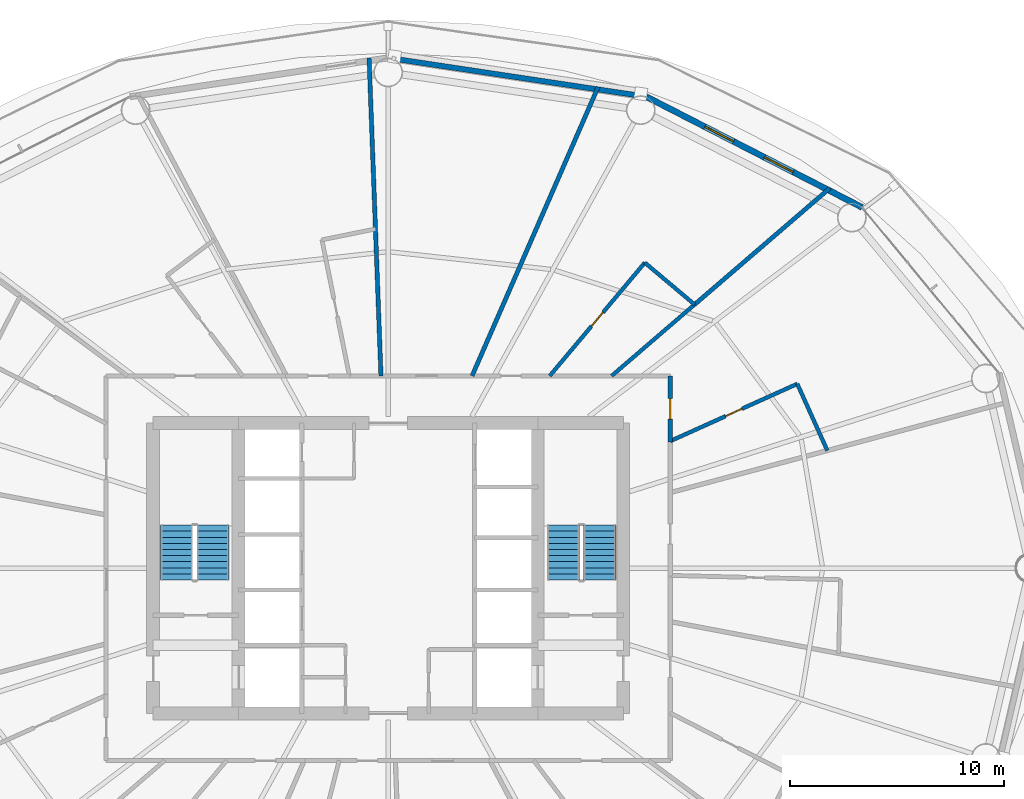
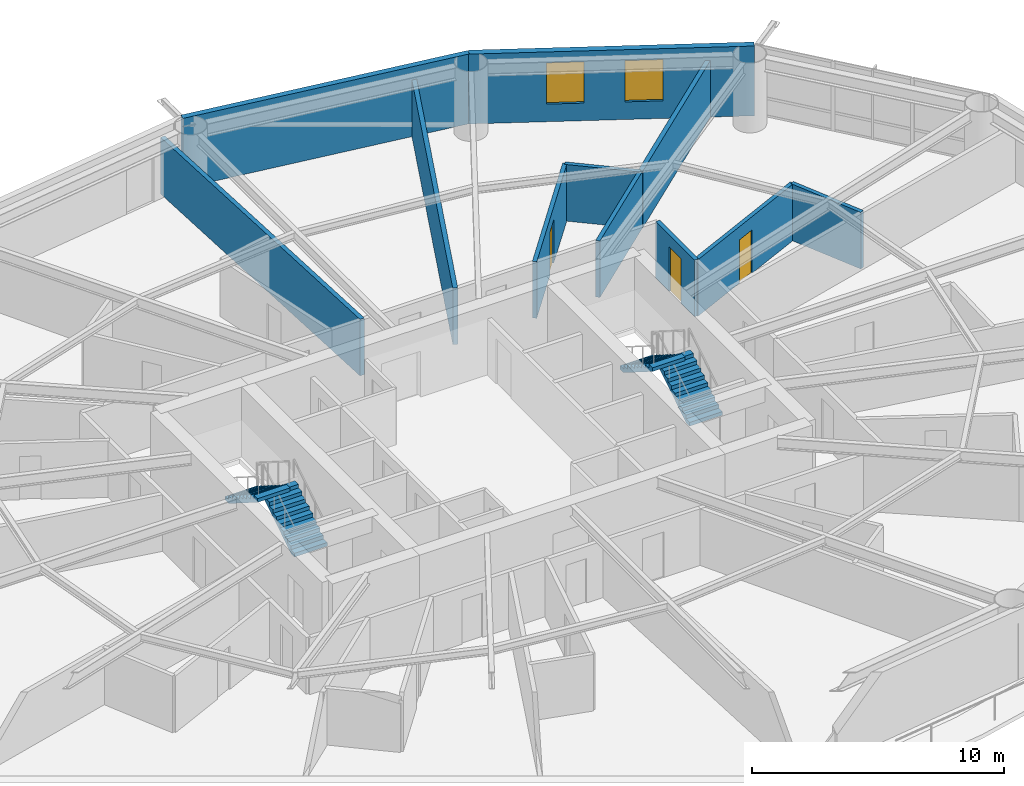
# One storey, part 23 of 26: 11 walls, 4 stair flights, 3 doors, 2 windows, 5 openings, 2 elements without a shape of their own.
"""IFC4 building model written with IfcOpenShell, lengths in metres."""

from ifc_helpers import new_model, si_unit, direction, frame, frame_2d, origin, place, context, subcontext, project, spatial, polyline, rectangle, outline, extrude, material, layer, layer_set, type_object, element, fill, aggregate, save


model = new_model("IFC4")

# Units and contexts
model_context = context("Model", 3, precision=1e-05, world=origin(), true_north=direction((0.0, 1.0)))
body_context = subcontext(model_context, "Body", "Model", "MODEL_VIEW")
ifc_project = project(units=[si_unit("LENGTHUNIT", "METRE"), si_unit("AREAUNIT", "SQUARE_METRE"), si_unit("VOLUMEUNIT", "CUBIC_METRE"), si_unit("PLANEANGLEUNIT", "RADIAN"), si_unit("MASSUNIT", "GRAM", prefix="KILO")], contexts=[model_context])

# Site, building, storey
site_placement = place(None, origin())
site = spatial("IfcSite", under=ifc_project, at=site_placement, CompositionType="ELEMENT")
building_placement = place(site_placement, origin())
building = spatial("IfcBuilding", under=site, at=building_placement, Name="Sarneth Arch Tower", CompositionType="ELEMENT")
storey_placement = place(building_placement, frame((0.0, 0.0, 39.0)))
storey = spatial("IfcBuildingStorey", under=building, at=storey_placement, Name="L08", CompositionType="ELEMENT", Elevation=39.0)

# Wall, opening, door
ifc_material_1 = material(Name="Double steel-stud corridor fire wall", Category="steel")
ifc_layer_1 = layer(ifc_material_1, 0.18994140625)
ifc_layer_set_1 = layer_set([ifc_layer_1], Name="Double steel-stud corridor fire wall")
wall_type_1 = type_object("IfcWallType", Name="WALL-CORR-190", PredefinedType="PARTITIONING", material=ifc_layer_set_1)
wall_1_placement = place(storey_placement, frame((61.199951171875, 51.0, 0.0), z_axis=(0.0, 0.0, 1.0), x_axis=(0.0, -1.0, 0.0)))
wall_1 = element("IfcWall", 1, at=wall_1_placement, inside=storey, type_object=wall_type_1, Name="L08 Interior partition W-L08-TP-002", PredefinedType="PARTITIONING", context=body_context, shape_type="SweptSolid", body=[
    extrude(rectangle(XDim=3.0869140625, YDim=0.18994140625, at=frame_2d((1.54345703125, 0.0))), origin(), (0.0, 0.0, 1.0), 2.739990234375),
])
opening_1_placement = place(wall_1_placement, frame((1.068603515625, 0.0, 0.0)))
opening_1 = element("IfcOpeningElement", 2, at=opening_1_placement, cuts=wall_1, Name="Opening FD-09", PredefinedType="OPENING", context=body_context, shape_type="SweptSolid", body=[
    extrude(rectangle(XDim=0.949951171875, YDim=2.14990234375, at=frame_2d((0.47509765625, 1.074951171875))), frame((0.0, 0.10498046875, 0.0), z_axis=(0.0, -1.0, 0.0), x_axis=(1.0, 0.0, 0.0)), (0.0, 0.0, 1.0), 0.2099609375),
])
ifc_material_2 = material(Name="Hardwood timber hotel entrance fire door", Category="wood")
door_type_1 = type_object("IfcDoorType", Name="DR-FD60-950", OperationType="SINGLE_SWING_RIGHT", PredefinedType="DOOR", material=ifc_material_2)
door_1_placement = place(opening_1_placement, origin())
door_1 = element("IfcDoor", 3, at=door_1_placement, inside=storey, type_object=door_type_1, Name="L08 Interior door DR-L08-KEY-01", OperationType="SINGLE_SWING_LEFT", OverallHeight=2.14990234375, OverallWidth=0.949951171875, PredefinedType="DOOR", context=body_context, shape_type="SweptSolid", body=[
    extrude(rectangle(XDim=0.949951171875, YDim=2.14990234375, at=frame_2d((0.47509765625, 1.074951171875))), frame((0.0, 0.02490234375, 0.0), z_axis=(0.0, -1.0, 0.0), x_axis=(1.0, 0.0, 0.0)), (0.0, 0.0, 1.0), 0.050048828125),
])
fill(opening_1, door_1)

# Wall
ifc_material_3 = material(Name="Extruded terracotta rainscreen on Concrete C40/50 backing", Category="masonry")
ifc_layer_2 = layer(ifc_material_3, 0.25)
ifc_layer_set_2 = layer_set([ifc_layer_2], Name="Extruded terracotta rainscreen on Concrete C40/50 backing")
wall_type_2 = type_object("IfcWallType", Name="WALL-EXT-SPAND-250", PredefinedType="SOLIDWALL", material=ifc_layer_set_2)
wall_2_placement = place(storey_placement, frame((60.077880859375, 64.062255859375, 0.0), z_axis=(0.0, 0.0, 1.0), x_axis=(-0.988864835849, 0.148816452121, 0.0)))
element("IfcWall", 4, at=wall_2_placement, inside=storey, type_object=wall_type_2, Name="L08 Terracotta perimeter wall 04", PredefinedType="SOLIDWALL", context=body_context, shape_type="SweptSolid", body=[
    extrude(rectangle(XDim=12.2138671875, YDim=0.25, at=frame_2d((6.10693359375, 0.0))), origin(), (0.0, 0.0, 1.0), 3.3798828125),
])

# Wall, openings, windows
ifc_material_4 = material(Name="Extruded terracotta rainscreen on Concrete C40/50 backing", Category="masonry")
ifc_layer_3 = layer(ifc_material_4, 0.280029296875)
ifc_layer_set_3 = layer_set([ifc_layer_3], Name="Extruded terracotta rainscreen on Concrete C40/50 backing")
wall_type_3 = type_object("IfcWallType", Name="WALL-EXT-TERRA-280", PredefinedType="SOLIDWALL", material=ifc_layer_set_3)
wall_3_placement = place(storey_placement, frame((70.174072265625, 58.8857421875, 0.0), z_axis=(0.0, 0.0, 1.0), x_axis=(-0.889853976658, 0.456245438581, 0.0)))
wall_3 = element("IfcWall", 5, at=wall_3_placement, inside=storey, type_object=wall_type_3, Name="L08 Terracotta perimeter wall 03", PredefinedType="SOLIDWALL", context=body_context, shape_type="SweptSolid", body=[
    extrude(rectangle(XDim=11.345947265625, YDim=0.280029296875, at=frame_2d((5.6728515625, 0.0))), origin(), (0.0, 0.0, 1.0), 3.3798828125),
])
opening_2_placement = place(wall_3_placement, frame((3.6318359375, 0.0, 0.85009765625)))
opening_2 = element("IfcOpeningElement", 6, at=opening_2_placement, cuts=wall_3, Name="Opening W-06", PredefinedType="OPENING", context=body_context, shape_type="SweptSolid", body=[
    extrude(rectangle(XDim=1.5, YDim=2.0, at=frame_2d((0.75, 1.0))), frame((0.0, 0.14990234375, 0.0), z_axis=(0.0, -1.0, 0.0), x_axis=(1.0, 0.0, 0.0)), (0.0, 0.0, 1.0), 0.300048828125),
])
opening_3_placement = place(wall_3_placement, frame((6.76123046875, 0.0, 0.85009765625)))
opening_3 = element("IfcOpeningElement", 7, at=opening_3_placement, cuts=wall_3, Name="Opening W-06", PredefinedType="OPENING", context=body_context, shape_type="SweptSolid", body=[
    extrude(rectangle(XDim=1.5, YDim=2.0, at=frame_2d((0.75, 1.0))), frame((0.0, 0.14990234375, 0.0), z_axis=(0.0, -1.0, 0.0), x_axis=(1.0, 0.0, 0.0)), (0.0, 0.0, 1.0), 0.300048828125),
])
ifc_material_5 = material(Name="Thermally broken Aluminium 6063-T6 and low-e laminated IGU", Category="aluminium")
window_type = type_object("IfcWindowType", Name="WIN-TWR-1500x2000", PartitioningType="SINGLE_PANEL", PredefinedType="WINDOW", material=ifc_material_5)
window_1_placement = place(opening_2_placement, origin())
window_1 = element("IfcWindow", 8, at=window_1_placement, inside=storey, type_object=window_type, Name="L08 Exterior window 03A", OverallHeight=2.0, OverallWidth=1.5, PartitioningType="SINGLE_PANEL", PredefinedType="WINDOW", context=body_context, shape_type="SweptSolid", body=[
    extrude(rectangle(XDim=1.5, YDim=2.0, at=frame_2d((0.75, 1.0))), frame((0.0, 0.030029296875, 0.0), z_axis=(0.0, -1.0, 0.0), x_axis=(1.0, 0.0, 0.0)), (0.0, 0.0, 1.0), 0.06005859375),
])
fill(opening_2, window_1)
window_2_placement = place(opening_3_placement, origin())
window_2 = element("IfcWindow", 9, at=window_2_placement, inside=storey, type_object=window_type, Name="L08 Exterior window 03B", OverallHeight=2.0, OverallWidth=1.5, PartitioningType="SINGLE_PANEL", PredefinedType="WINDOW", context=body_context, shape_type="SweptSolid", body=[
    extrude(rectangle(XDim=1.5, YDim=2.0, at=frame_2d((0.75, 1.0))), frame((0.0, 0.030029296875, 0.0), z_axis=(0.0, -1.0, 0.0), x_axis=(1.0, 0.0, 0.0)), (0.0, 0.0, 1.0), 0.06005859375),
])
fill(opening_3, window_2)

# Wall, opening, door
ifc_material_6 = material(Name="Moisture-resistant plumbing chase wall", Category="gypsum")
ifc_layer_4 = layer(ifc_material_6, 0.179931640625)
ifc_layer_set_4 = layer_set([ifc_layer_4], Name="Moisture-resistant plumbing chase wall")
wall_type_4 = type_object("IfcWallType", Name="WALL-PLUMB-180", PredefinedType="PLUMBINGWALL", material=ifc_layer_set_4)
wall_4_placement = place(storey_placement, frame((55.5595703125, 51.0, 0.0), z_axis=(0.0, 0.0, 1.0), x_axis=(0.643154836645, 0.765736153058, 0.0)))
wall_4 = element("IfcWall", 10, at=wall_4_placement, inside=storey, type_object=wall_type_4, Name="L08 Interior partition W-L08-TP-036", PredefinedType="PLUMBINGWALL", context=body_context, shape_type="SweptSolid", body=[
    extrude(rectangle(XDim=6.9169921875, YDim=0.179931640625, at=frame_2d((3.45849609375, 0.0))), origin(), (0.0, 0.0, 1.0), 2.739990234375),
])
opening_4_placement = place(wall_4_placement, frame((3.03369140625, 0.0, 0.0)))
opening_4 = element("IfcOpeningElement", 11, at=opening_4_placement, cuts=wall_4, Name="Opening ID-02", PredefinedType="OPENING", context=body_context, shape_type="SweptSolid", body=[
    extrude(rectangle(XDim=0.85009765625, YDim=2.10009765625, at=frame_2d((0.425048828125, 1.050048828125))), frame((0.0, 0.099853515625, 0.0), z_axis=(0.0, -1.0, 0.0), x_axis=(1.0, 0.0, 0.0)), (0.0, 0.0, 1.0), 0.199951171875),
])
ifc_material_7 = material(Name="Moisture-resistant bathroom timber door", Category="wood")
door_type_2 = type_object("IfcDoorType", Name="DR-INT-850", OperationType="SINGLE_SWING_RIGHT", PredefinedType="DOOR", material=ifc_material_7)
door_2_placement = place(opening_4_placement, origin())
door_2 = element("IfcDoor", 12, at=door_2_placement, inside=storey, type_object=door_type_2, Name="L08 Interior door DR-L08-ENS-02", OperationType="SINGLE_SWING_RIGHT", OverallHeight=2.10009765625, OverallWidth=0.85009765625, PredefinedType="DOOR", context=body_context, shape_type="SweptSolid", body=[
    extrude(rectangle(XDim=0.85009765625, YDim=2.10009765625, at=frame_2d((0.425048828125, 1.050048828125))), frame((0.0, 0.02490234375, 0.0), z_axis=(0.0, -1.0, 0.0), x_axis=(1.0, 0.0, 0.0)), (0.0, 0.0, 1.0), 0.050048828125),
])
fill(opening_4, door_2)

wall_5_placement = place(storey_placement, frame((67.14306640625, 50.626220703125, 0.0), z_axis=(0.0, 0.0, 1.0), x_axis=(-0.911702033518, -0.410852044025, 0.0)))
wall_5 = element("IfcWall", 13, at=wall_5_placement, inside=storey, type_object=wall_type_4, Name="L08 Interior partition W-L08-TP-031", PredefinedType="PLUMBINGWALL", context=body_context, shape_type="SweptSolid", body=[
    extrude(rectangle(XDim=6.518798828125, YDim=0.179931640625, at=frame_2d((3.25927734375, 0.0))), origin(), (0.0, 0.0, 1.0), 2.739990234375),
])
opening_5_placement = place(wall_5_placement, frame((2.834228515625, 0.0, 0.0)))
opening_5 = element("IfcOpeningElement", 14, at=opening_5_placement, cuts=wall_5, Name="Opening ID-02", PredefinedType="OPENING", context=body_context, shape_type="SweptSolid", body=[
    extrude(rectangle(XDim=0.85009765625, YDim=2.10009765625, at=frame_2d((0.425048828125, 1.050048828125))), frame((0.0, 0.099853515625, 0.0), z_axis=(0.0, -1.0, 0.0), x_axis=(1.0, 0.0, 0.0)), (0.0, 0.0, 1.0), 0.199951171875),
])
door_3_placement = place(opening_5_placement, origin())
door_3 = element("IfcDoor", 15, at=door_3_placement, inside=storey, type_object=door_type_2, Name="L08 Interior door DR-L08-ENS-01", OperationType="SINGLE_SWING_RIGHT", OverallHeight=2.10009765625, OverallWidth=0.85009765625, PredefinedType="DOOR", context=body_context, shape_type="SweptSolid", body=[
    extrude(rectangle(XDim=0.85009765625, YDim=2.10009765625, at=frame_2d((0.425048828125, 1.050048828125))), frame((0.0, 0.02490234375, 0.0), z_axis=(0.0, -1.0, 0.0), x_axis=(1.0, 0.0, 0.0)), (0.0, 0.0, 1.0), 0.050048828125),
])
fill(opening_5, door_3)

# Walls
wall_6_placement = place(storey_placement, frame((62.338623046875, 54.33935546875, 0.0), z_axis=(0.0, 0.0, 1.0), x_axis=(-0.757969199921, -0.652290343307, 0.0)))
element("IfcWall", 16, at=wall_6_placement, inside=storey, type_object=wall_type_4, Name="L08 Interior partition W-L08-TP-033", PredefinedType="PLUMBINGWALL", context=body_context, shape_type="SweptSolid", body=[
    extrude(rectangle(XDim=5.119384765625, YDim=0.179931640625, at=frame_2d((2.5595703125, 0.0))), origin(), (0.0, 0.0, 1.0), 2.739990234375),
])
wall_7_placement = place(storey_placement, frame((68.549072265625, 47.506103515625, 0.0), z_axis=(0.0, 0.0, 1.0), x_axis=(-0.410839223928, 0.911707810695, 0.0)))
element("IfcWall", 17, at=wall_7_placement, inside=storey, type_object=wall_type_4, Name="L08 Interior partition W-L08-TP-030", PredefinedType="PLUMBINGWALL", context=body_context, shape_type="SweptSolid", body=[
    extrude(rectangle(XDim=3.42236328125, YDim=0.179931640625, at=frame_2d((1.711181640625, 0.0))), origin(), (0.0, 0.0, 1.0), 2.739990234375),
])
wall_8_placement = place(storey_placement, frame((60.00830078125, 56.296630859375, 0.0), z_axis=(0.0, 0.0, 1.0), x_axis=(0.765736471754, -0.643154457208, 0.0)))
element("IfcWall", 18, at=wall_8_placement, inside=storey, type_object=wall_type_4, Name="L08 Interior partition W-L08-TP-037", PredefinedType="PLUMBINGWALL", context=body_context, shape_type="SweptSolid", body=[
    extrude(rectangle(XDim=3.043212890625, YDim=0.179931640625, at=frame_2d((1.521484375, 0.0))), origin(), (0.0, 0.0, 1.0), 2.739990234375),
])
ifc_material_8 = material(Name="Double steel-stud acoustic drywall", Category="steel")
ifc_layer_5 = layer(ifc_material_8, 0.199951171875)
ifc_layer_set_5 = layer_set([ifc_layer_5], Name="Double steel-stud acoustic drywall")
wall_type_5 = type_object("IfcWallType", Name="WALL-UNIT-200", PredefinedType="PARTITIONING", material=ifc_layer_set_5)
wall_9_placement = place(storey_placement, frame((57.82470703125, 64.5185546875, 0.0), z_axis=(0.0, 0.0, 1.0), x_axis=(-0.399884283786, -0.916565632991, 0.0)))
element("IfcWall", 19, at=wall_9_placement, inside=storey, type_object=wall_type_5, Name="L08 Interior partition W-L08-TP-038", PredefinedType="PARTITIONING", context=body_context, shape_type="SweptSolid", body=[
    extrude(rectangle(XDim=14.7490234375, YDim=0.199951171875, at=frame_2d((7.37451171875, 0.0))), origin(), (0.0, 0.0, 1.0), 2.739990234375),
])
wall_10_placement = place(storey_placement, frame((68.66552734375, 59.7841796875, 0.0), z_axis=(0.0, 0.0, 1.0), x_axis=(-0.757966817992, -0.652293111127, 0.0)))
element("IfcWall", 20, at=wall_10_placement, inside=storey, type_object=wall_type_5, Name="L08 Interior partition W-L08-TP-032", PredefinedType="PARTITIONING", context=body_context, shape_type="SweptSolid", body=[
    extrude(rectangle(XDim=8.34716796875, YDim=0.199951171875, at=frame_2d((4.173583984375, 0.0))), origin(), (0.0, 0.0, 1.0), 2.739990234375),
])
wall_11_placement = place(storey_placement, frame((47.6630859375, 51.0, 0.0), z_axis=(0.0, 0.0, 1.0), x_axis=(-0.037384345878, 0.999300961014, 0.0)))
element("IfcWall", 21, at=wall_11_placement, inside=storey, type_object=wall_type_5, Name="L08 Interior partition W-L08-TP-039", PredefinedType="PARTITIONING", context=body_context, shape_type="SweptSolid", body=[
    extrude(rectangle(XDim=14.876708984375, YDim=0.199951171875, at=frame_2d((7.4384765625, 0.0))), origin(), (0.0, 0.0, 1.0), 2.739990234375),
])

# Stair, stair flights
ifc_material_9 = material(Name="Concrete C50/60", Category="concrete")
stair_type = type_object("IfcStairType", Name="STAIR-CORE-RC", PredefinedType="HALF_TURN_STAIR", material=ifc_material_9)
stair_1_placement = place(storey_placement, origin())
stair_1 = element("IfcStair", 22, at=stair_1_placement, inside=storey, type_object=stair_type, Name="L08 Core Exit Stair 1", PredefinedType="HALF_TURN_STAIR")
ifc_material_10 = material(Name="Concrete C50/60", Category="concrete")
stair_flight_type = type_object("IfcStairFlightType", Name="FLIGHT-RC-1500", PredefinedType="STRAIGHT", material=ifc_material_10)
stair_flight_1_placement = place(storey_placement, frame((39.800048828125, 41.449951171875, 0.0), z_axis=(0.0, 0.0, 1.0), x_axis=(0.0, 1.0, 0.0)))
stair_flight_1 = element("IfcStairFlight", 23, at=stair_flight_1_placement, type_object=stair_flight_type, Name="ST-1 flight 1", NumberOfRisers=10, NumberOfTreads=9, PredefinedType="STRAIGHT", RiserHeight=0.18, TreadLength=0.285, context=body_context, shape_type="SweptSolid", body=[
    extrude(outline(polyline([(0.0, 0.0), (0.0, 0.179931640625), (0.284912109375, 0.179931640625), (0.284912109375, 0.360107421875), (0.570068359375, 0.360107421875), (0.570068359375, 0.5400390625), (0.85498046875, 0.5400390625), (0.85498046875, 0.719970703125), (1.139892578125, 0.719970703125), (1.139892578125, 0.89990234375), (1.425048828125, 0.89990234375), (1.425048828125, 1.080078125), (1.7099609375, 1.080078125), (1.7099609375, 1.260009765625), (1.9951171875, 1.260009765625), (1.9951171875, 1.43994140625), (2.280029296875, 1.43994140625), (2.280029296875, 1.6201171875), (2.56494140625, 1.6201171875), (2.56494140625, 1.800048828125), (2.56494140625, 1.442626953125), (0.28076171875, 0.0), (0.0, 0.0)])), frame((0.0, 0.75, 0.0), z_axis=(0.0, -1.0, 0.0), x_axis=(1.0, 0.0, 0.0)), (0.0, 0.0, 1.0), 1.5),
])
stair_flight_2_placement = place(storey_placement, frame((38.10009765625, 44.014892578125, 1.800048828125), z_axis=(0.0, 0.0, 1.0), x_axis=(0.0, -1.0, 0.0)))
stair_flight_2 = element("IfcStairFlight", 24, at=stair_flight_2_placement, type_object=stair_flight_type, Name="ST-1 flight 2", NumberOfRisers=10, NumberOfTreads=9, PredefinedType="STRAIGHT", RiserHeight=0.18, TreadLength=0.285, context=body_context, shape_type="SweptSolid", body=[
    extrude(outline(polyline([(0.0, 0.0), (0.0, 0.179931640625), (0.284912109375, 0.179931640625), (0.284912109375, 0.360107421875), (0.570068359375, 0.360107421875), (0.570068359375, 0.5400390625), (0.85498046875, 0.5400390625), (0.85498046875, 0.719970703125), (1.139892578125, 0.719970703125), (1.139892578125, 0.89990234375), (1.425048828125, 0.89990234375), (1.425048828125, 1.080078125), (1.7099609375, 1.080078125), (1.7099609375, 1.260009765625), (1.9951171875, 1.260009765625), (1.9951171875, 1.43994140625), (2.280029296875, 1.43994140625), (2.280029296875, 1.6201171875), (2.56494140625, 1.6201171875), (2.56494140625, 1.800048828125), (2.56494140625, 1.442626953125), (0.28076171875, 0.0), (0.0, 0.0)])), frame((0.0, 0.75, 0.0), z_axis=(0.0, -1.0, 0.0), x_axis=(1.0, 0.0, 0.0)), (0.0, 0.0, 1.0), 1.5),
])
aggregate(stair_1, [stair_flight_1, stair_flight_2])

stair_2_placement = place(storey_placement, origin())
stair_2 = element("IfcStair", 25, at=stair_2_placement, inside=storey, type_object=stair_type, Name="L08 Core Exit Stair 2", PredefinedType="HALF_TURN_STAIR")
stair_flight_3_placement = place(storey_placement, frame((57.89990234375, 41.449951171875, 0.0), z_axis=(0.0, 0.0, 1.0), x_axis=(0.0, 1.0, 0.0)))
stair_flight_3 = element("IfcStairFlight", 26, at=stair_flight_3_placement, type_object=stair_flight_type, Name="ST-2 flight 1", NumberOfRisers=10, NumberOfTreads=9, PredefinedType="STRAIGHT", RiserHeight=0.18, TreadLength=0.285, context=body_context, shape_type="SweptSolid", body=[
    extrude(outline(polyline([(0.0, 0.0), (0.0, 0.179931640625), (0.284912109375, 0.179931640625), (0.284912109375, 0.360107421875), (0.570068359375, 0.360107421875), (0.570068359375, 0.5400390625), (0.85498046875, 0.5400390625), (0.85498046875, 0.719970703125), (1.139892578125, 0.719970703125), (1.139892578125, 0.89990234375), (1.425048828125, 0.89990234375), (1.425048828125, 1.080078125), (1.7099609375, 1.080078125), (1.7099609375, 1.260009765625), (1.9951171875, 1.260009765625), (1.9951171875, 1.43994140625), (2.280029296875, 1.43994140625), (2.280029296875, 1.6201171875), (2.56494140625, 1.6201171875), (2.56494140625, 1.800048828125), (2.56494140625, 1.442626953125), (0.28076171875, 0.0), (0.0, 0.0)])), frame((0.0, 0.75, 0.0), z_axis=(0.0, -1.0, 0.0), x_axis=(1.0, 0.0, 0.0)), (0.0, 0.0, 1.0), 1.5),
])
stair_flight_4_placement = place(storey_placement, frame((56.199951171875, 44.014892578125, 1.800048828125), z_axis=(0.0, 0.0, 1.0), x_axis=(0.0, -1.0, 0.0)))
stair_flight_4 = element("IfcStairFlight", 27, at=stair_flight_4_placement, type_object=stair_flight_type, Name="ST-2 flight 2", NumberOfRisers=10, NumberOfTreads=9, PredefinedType="STRAIGHT", RiserHeight=0.18, TreadLength=0.285, context=body_context, shape_type="SweptSolid", body=[
    extrude(outline(polyline([(0.0, 0.0), (0.0, 0.179931640625), (0.284912109375, 0.179931640625), (0.284912109375, 0.360107421875), (0.570068359375, 0.360107421875), (0.570068359375, 0.5400390625), (0.85498046875, 0.5400390625), (0.85498046875, 0.719970703125), (1.139892578125, 0.719970703125), (1.139892578125, 0.89990234375), (1.425048828125, 0.89990234375), (1.425048828125, 1.080078125), (1.7099609375, 1.080078125), (1.7099609375, 1.260009765625), (1.9951171875, 1.260009765625), (1.9951171875, 1.43994140625), (2.280029296875, 1.43994140625), (2.280029296875, 1.6201171875), (2.56494140625, 1.6201171875), (2.56494140625, 1.800048828125), (2.56494140625, 1.442626953125), (0.28076171875, 0.0), (0.0, 0.0)])), frame((0.0, 0.75, 0.0), z_axis=(0.0, -1.0, 0.0), x_axis=(1.0, 0.0, 0.0)), (0.0, 0.0, 1.0), 1.5),
])
aggregate(stair_2, [stair_flight_3, stair_flight_4])

save(model, "model.ifc")
